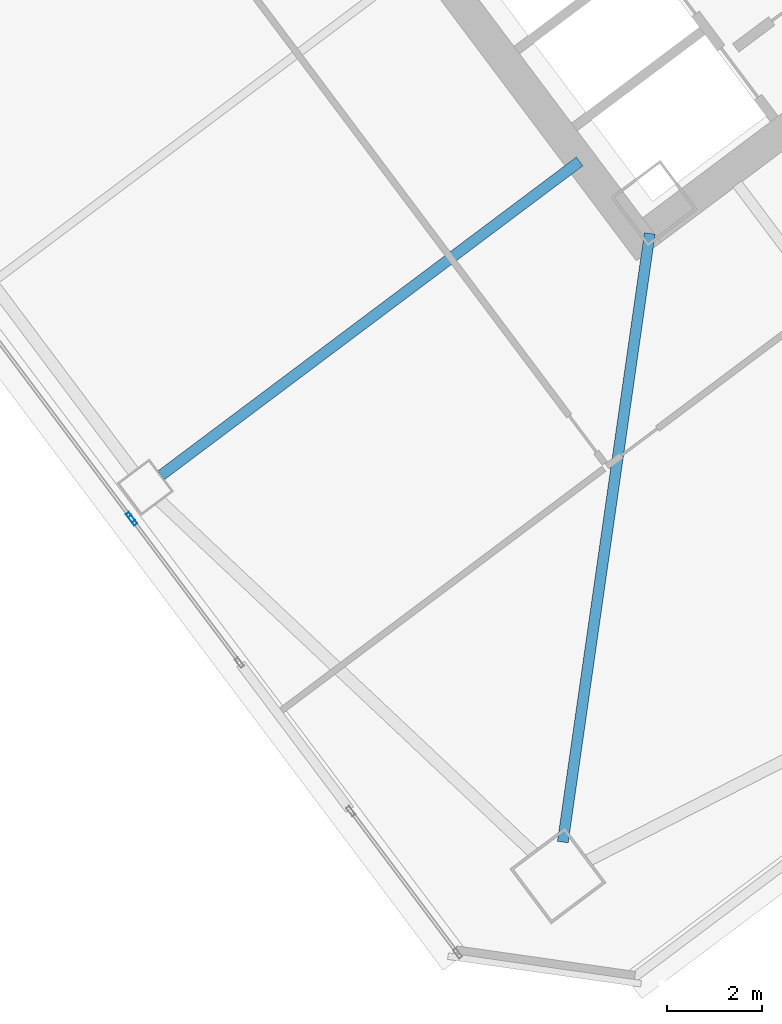
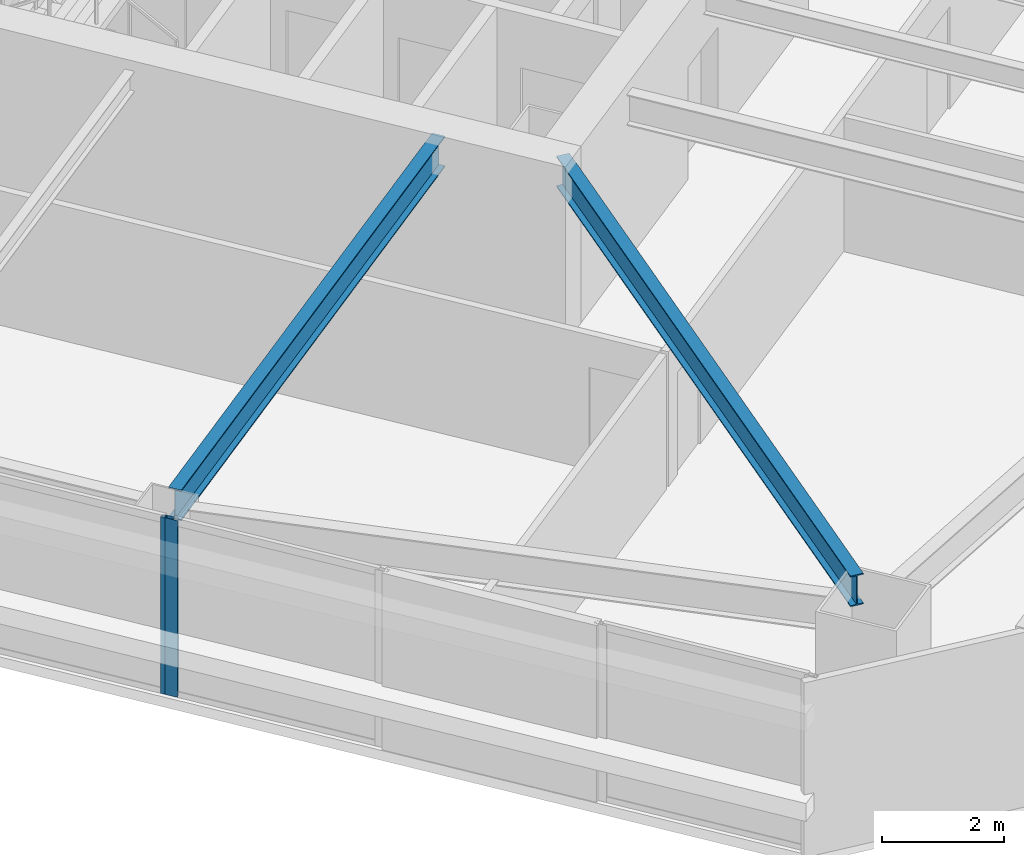
# One storey, part 22 of 48: 2 beams, 2 members, 2 elements without a shape of their own.
"""IFC4 building model written with IfcOpenShell, lengths in metres."""

from ifc_helpers import new_model, si_unit, direction, frame, origin, origin_2d, place, context, subcontext, project, spatial, hollow_rectangle, i_section, extrude, material, material_profile, profile_set, type_object, element, aggregate, save


model = new_model("IFC4")

# Units and contexts
model_context = context("Model", 3, precision=1e-05, world=origin(), true_north=direction((0.0, 1.0)))
body_context = subcontext(model_context, "Body", "Model", "MODEL_VIEW")
ifc_project = project(units=[si_unit("LENGTHUNIT", "METRE"), si_unit("AREAUNIT", "SQUARE_METRE"), si_unit("VOLUMEUNIT", "CUBIC_METRE"), si_unit("PLANEANGLEUNIT", "RADIAN"), si_unit("MASSUNIT", "GRAM", prefix="KILO")], contexts=[model_context])

# Site, building, storey
site_placement = place(None, origin())
site = spatial("IfcSite", under=ifc_project, at=site_placement, CompositionType="ELEMENT")
building_placement = place(site_placement, origin())
building = spatial("IfcBuilding", under=site, at=building_placement, Name="Tashvorn Skyway Center", CompositionType="ELEMENT")
storey_placement = place(building_placement, frame((0.0, 0.0, 77.85009765625)))
storey = spatial("IfcBuildingStorey", under=building, at=storey_placement, Name="L20", CompositionType="ELEMENT", Elevation=77.85009765625)

# Beams
ifc_material_1 = material(Name="Steel ASTM A992 Grade 50", Category="steel")
ifc_material_profile_1 = material_profile(ifc_material_1, i_section(OverallWidth=0.22998046875, OverallDepth=0.616943359375, WebThickness=0.01318359375, FlangeThickness=0.022216796875, at=origin_2d()), Name="W24X94")
ifc_profile_set_1 = profile_set([ifc_material_profile_1], Name="Steel ASTM A992 Grade 50")
beam_type = type_object("IfcBeamType", Name="BM-BEAM-W24X94", PredefinedType="BEAM", material=ifc_profile_set_1)
beam_1_placement = place(storey_placement, frame((110.661865234375, 8.6328125, 3.04150390625), z_axis=(0.141418724841, 0.989949869571, 0.0), x_axis=(-0.989949869571, 0.141418724841, 0.0)))
element("IfcBeam", 1, at=beam_1_placement, inside=storey, type_object=beam_type, Name="Tower 2 L20 Primary Floor Girder MC-SW", PredefinedType="BEAM", context=body_context, shape_type="SweptSolid", body=[
    extrude(i_section(OverallWidth=0.22998046875, OverallDepth=0.616943359375, WebThickness=0.01318359375, FlangeThickness=0.022216796875, at=origin_2d()), origin(), (0.0, 0.0, 1.0), 12.9892578125),
])
beam_2_placement = place(storey_placement, frame((102.176025390625, 16.382080078125, 3.04150390625), z_axis=(0.800007953832, 0.599989394744, 0.0), x_axis=(-0.599989394744, 0.800007953832, 0.0)))
element("IfcBeam", 2, at=beam_2_placement, inside=storey, type_object=beam_type, Name="Tower 2 L20 Primary Floor Girder FC-W2", PredefinedType="BEAM", context=body_context, shape_type="SweptSolid", body=[
    extrude(i_section(OverallWidth=0.22998046875, OverallDepth=0.616943359375, WebThickness=0.01318359375, FlangeThickness=0.022216796875, at=origin_2d()), origin(), (0.0, 0.0, 1.0), 11.050048828125),
])

# Curtain wall, member
ifc_material_2 = material(Name="Thermally broken bronze-anodized aluminium 6063-T6", Category="aluminium")
curtain_wall_type = type_object("IfcCurtainWallType", Name="CW-CW-Z2", PredefinedType="NOTDEFINED", material=ifc_material_2)
curtain_wall_1_placement = place(storey_placement, origin())
curtain_wall_1 = element("IfcCurtainWall", 3, at=curtain_wall_1_placement, inside=storey, type_object=curtain_wall_type, Name="Tower 2 L20 West Unitised Curtain Wall Glazing Group 2", PredefinedType="NOTDEFINED")
ifc_material_profile_2 = material_profile(ifc_material_2, hollow_rectangle(XDim=0.080078125, YDim=0.219970703125, WallThickness=0.0048828125, at=origin_2d()), Name="ALU-MULL-80x220")
ifc_profile_set_2 = profile_set([ifc_material_profile_2], Name="Thermally broken bronze-anodized aluminium 6063-T6")
member_type = type_object("IfcMemberType", Name="CWM-CW-Z2", PredefinedType="MULLION", material=ifc_profile_set_2)
member_1_placement = place(storey_placement, frame((101.575927734375, 15.431884765625, 0.0), z_axis=(0.0, 0.0, 1.0), x_axis=(-0.799999999998, -0.600000000002, 0.0)))
member_1 = element("IfcMember", 4, at=member_1_placement, type_object=member_type, Name="CW-Z2 mullion 2", PredefinedType="MULLION", context=body_context, shape_type="SweptSolid", body=[
    extrude(hollow_rectangle(XDim=0.080078125, YDim=0.219970703125, WallThickness=0.0048828125, at=origin_2d()), origin(), (0.0, 0.0, 1.0), 3.5498046875),
])
aggregate(curtain_wall_1, [member_1])

curtain_wall_2_placement = place(storey_placement, origin())
curtain_wall_2 = element("IfcCurtainWall", 5, at=curtain_wall_2_placement, inside=storey, type_object=curtain_wall_type, Name="Tower 2 L20 West Unitised Curtain Wall Glazing Group 3", PredefinedType="NOTDEFINED")
member_2_placement = place(storey_placement, frame((101.528076171875, 15.49609375, 0.0), z_axis=(0.0, 0.0, 1.0), x_axis=(-0.799999999998, -0.600000000002, 0.0)))
member_2 = element("IfcMember", 6, at=member_2_placement, type_object=member_type, Name="CW-Z2 mullion 1", PredefinedType="MULLION", context=body_context, shape_type="SweptSolid", body=[
    extrude(hollow_rectangle(XDim=0.080078125, YDim=0.219970703125, WallThickness=0.0048828125, at=origin_2d()), origin(), (0.0, 0.0, 1.0), 3.5498046875),
])
aggregate(curtain_wall_2, [member_2])

save(model, "model.ifc")
